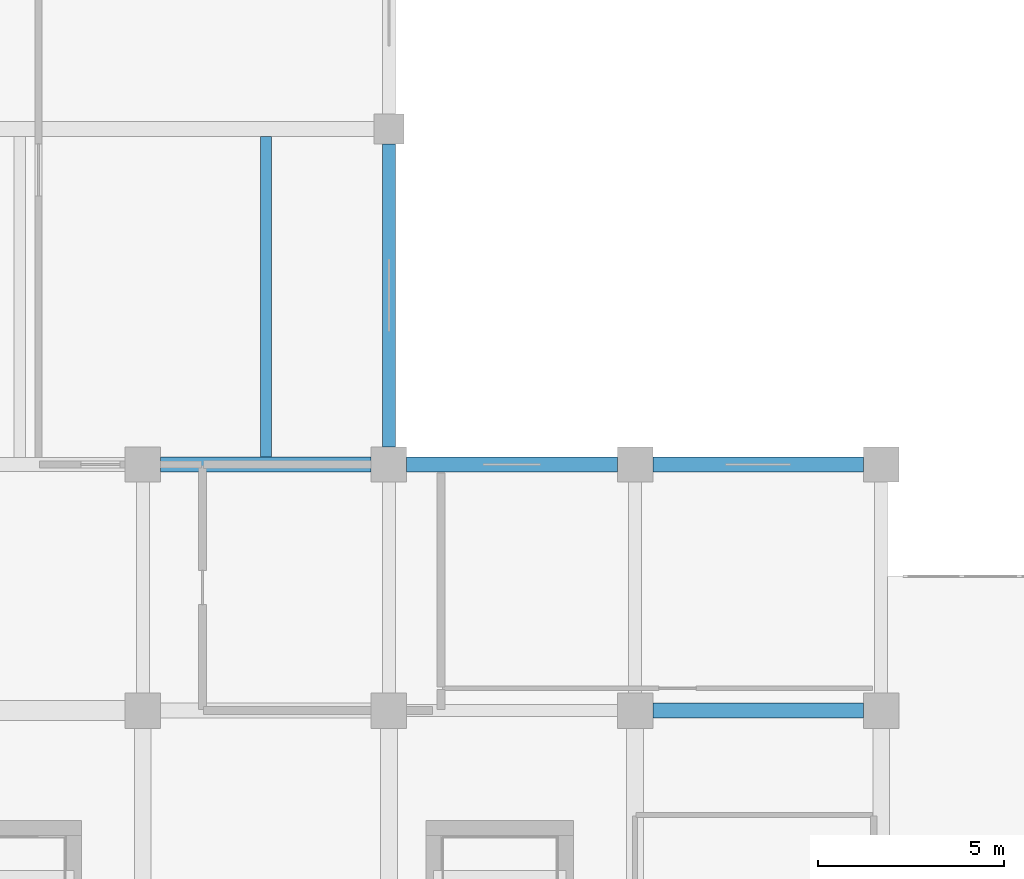
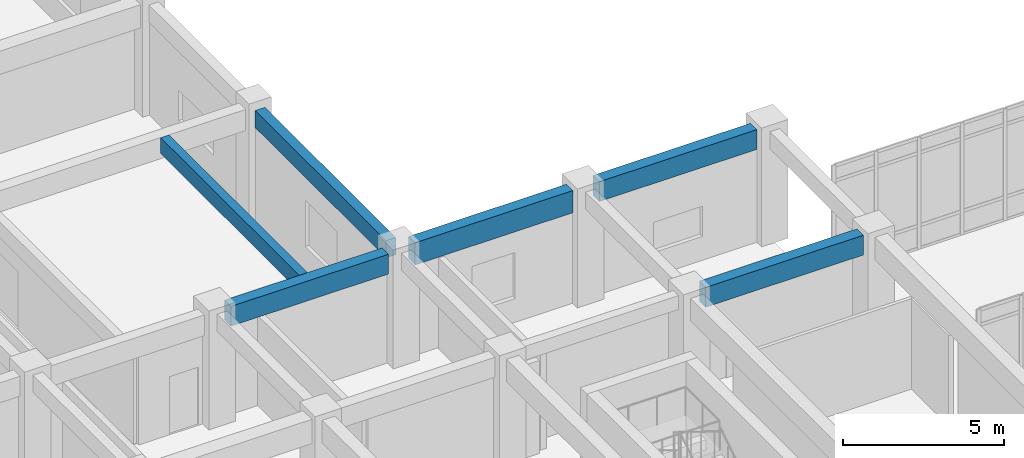
# One storey, part 6 of 57: 6 beams.
"""IFC4 building model written with IfcOpenShell, lengths in metres."""

from ifc_helpers import new_model, si_unit, direction, frame, origin, origin_2d, place, context, subcontext, project, spatial, rectangle, extrude, material, material_profile, profile_set, type_object, element, save


model = new_model("IFC4")

# Units and contexts
model_context = context("Model", 3, precision=1e-05, world=origin(), true_north=direction((0.0, 1.0)))
body_context = subcontext(model_context, "Body", "Model", "MODEL_VIEW")
ifc_project = project(units=[si_unit("LENGTHUNIT", "METRE"), si_unit("AREAUNIT", "SQUARE_METRE"), si_unit("VOLUMEUNIT", "CUBIC_METRE"), si_unit("PLANEANGLEUNIT", "RADIAN"), si_unit("MASSUNIT", "GRAM", prefix="KILO")], contexts=[model_context])

# Site, building, storey
site_placement = place(None, origin())
site = spatial("IfcSite", under=ifc_project, at=site_placement, CompositionType="ELEMENT")
building_placement = place(site_placement, origin())
building = spatial("IfcBuilding", under=site, at=building_placement, Name="Miralva Faculty of Natural Sciences", CompositionType="ELEMENT")
storey_placement = place(building_placement, frame((0.0, 0.0, 15.0)))
storey = spatial("IfcBuildingStorey", under=building, at=storey_placement, Name="L03", CompositionType="ELEMENT", Elevation=15.0)

# Beams
ifc_material = material(Name="Concrete C40/50", Category="concrete")
ifc_material_profile_1 = material_profile(ifc_material, rectangle(XDim=0.39990234375, YDim=0.75, at=origin_2d()), Name="RC 400x750")
ifc_profile_set_1 = profile_set([ifc_material_profile_1], Name="Concrete C40/50")
beam_type_1 = type_object("IfcBeamType", Name="BM-B03", PredefinedType="BEAM", material=ifc_profile_set_1)
for number, where, z_axis, x_axis, name in (
    (1, (29.875, 23.39990234375, 3.905029296875), (1.0, 0.0, 0.0), (0.0, 1.0, 0.0), "Girder EW L03-20"),
    (2, (16.675048828125, 30.0, 3.804931640625), (1.0, 0.0, 0.0), (0.0, 1.0, 0.0), "Girder EW L03-26"),
    (3, (29.875, 30.0, 3.905029296875), (1.0, 0.0, 0.0), (0.0, 1.0, 0.0), "Girder EW L03-28"),
):
    element("IfcBeam", number, at=place(storey_placement, frame(where, z_axis=z_axis, x_axis=x_axis)), inside=storey, type_object=beam_type_1, Name=name, PredefinedType="BEAM", context=body_context, shape_type="SweptSolid", body=[
        extrude(rectangle(XDim=0.39990234375, YDim=0.75, at=origin_2d()), origin(), (0.0, 0.0, 1.0), 5.64990234375),
    ])
ifc_material_profile_2 = material_profile(ifc_material, rectangle(XDim=0.35009765625, YDim=0.64990234375, at=origin_2d()), Name="RC 350x650")
ifc_profile_set_2 = profile_set([ifc_material_profile_2], Name="Concrete C40/50")
beam_type_2 = type_object("IfcBeamType", Name="BM-B05", PredefinedType="BEAM", material=ifc_profile_set_2)
beam_1_placement = place(storey_placement, frame((22.800048828125, 30.47509765625, 3.85498046875), z_axis=(0.0, 1.0, 0.0), x_axis=(-1.0, 0.0, 0.0)))
element("IfcBeam", 4, at=beam_1_placement, inside=storey, type_object=beam_type_2, Name="Girder NS L03-94", PredefinedType="BEAM", context=body_context, shape_type="SweptSolid", body=[
    extrude(rectangle(XDim=0.35009765625, YDim=0.64990234375, at=origin_2d()), origin(), (0.0, 0.0, 1.0), 8.125),
])
ifc_material_profile_3 = material_profile(ifc_material, rectangle(XDim=0.39990234375, YDim=0.840087890625, at=origin_2d()), Name="RC 400x840")
ifc_profile_set_3 = profile_set([ifc_material_profile_3], Name="Concrete C40/50")
beam_type_3 = type_object("IfcBeamType", Name="BM-BG09", PredefinedType="BEAM", material=ifc_profile_set_3)
beam_2_placement = place(storey_placement, frame((23.27490234375, 30.0, 3.860107421875), z_axis=(1.0, 0.0, 0.0), x_axis=(0.0, 1.0, 0.0)))
element("IfcBeam", 5, at=beam_2_placement, inside=storey, type_object=beam_type_3, Name="Girder EW L03-27", PredefinedType="BEAM", context=body_context, shape_type="SweptSolid", body=[
    extrude(rectangle(XDim=0.39990234375, YDim=0.840087890625, at=origin_2d()), origin(), (0.0, 0.0, 1.0), 5.650146484375),
])
ifc_material_profile_4 = material_profile(ifc_material, rectangle(XDim=0.300048828125, YDim=0.60009765625, at=origin_2d()), Name="RC 300x600")
ifc_profile_set_4 = profile_set([ifc_material_profile_4], Name="Concrete C40/50")
beam_type_4 = type_object("IfcBeamType", Name="BM-J01", PredefinedType="JOIST", material=ifc_profile_set_4)
beam_3_placement = place(storey_placement, frame((19.5, 30.199951171875, 3.8798828125), z_axis=(0.0, 1.0, 0.0), x_axis=(-1.0, 0.0, 0.0)))
element("IfcBeam", 6, at=beam_3_placement, inside=storey, type_object=beam_type_4, Name="Floor joist L03-8", PredefinedType="JOIST", context=body_context, shape_type="SweptSolid", body=[
    extrude(rectangle(XDim=0.300048828125, YDim=0.60009765625, at=origin_2d()), origin(), (0.0, 0.0, 1.0), 8.60009765625),
])

save(model, "model.ifc")
